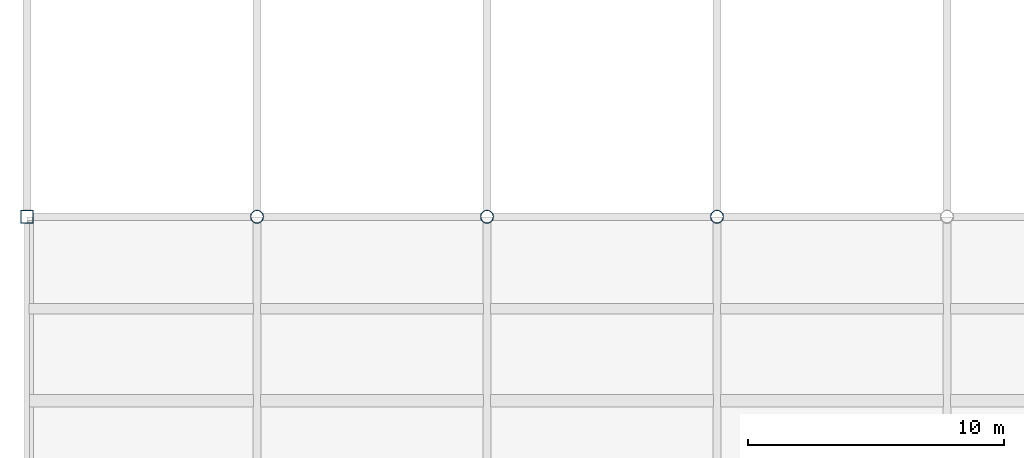
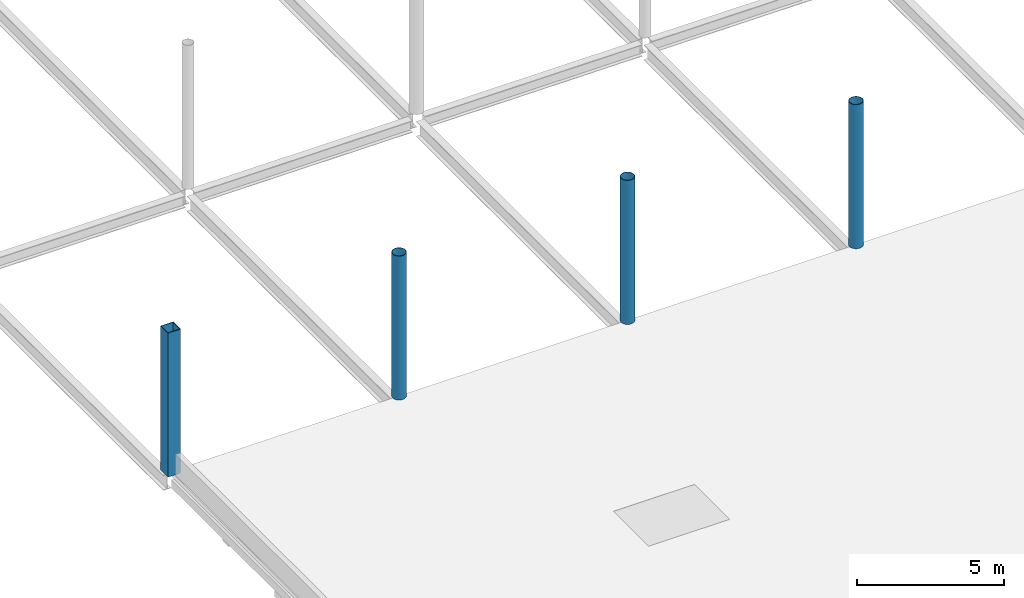
# One storey, part 1 of 191: 4 columns.
"""IFC4 building model written with IfcOpenShell, lengths in metres."""

from ifc_helpers import new_model, si_unit, direction, frame, origin, origin_2d, place, context, subcontext, project, spatial, hollow_rectangle, hollow_circle, extrude, material, material_profile, profile_set, type_object, element, save


model = new_model("IFC4")

# Units and contexts
model_context = context("Model", 3, precision=1e-05, world=origin(), true_north=direction((0.0, 1.0)))
body_context = subcontext(model_context, "Body", "Model", "MODEL_VIEW")
ifc_project = project(units=[si_unit("LENGTHUNIT", "METRE"), si_unit("AREAUNIT", "SQUARE_METRE"), si_unit("VOLUMEUNIT", "CUBIC_METRE"), si_unit("PLANEANGLEUNIT", "RADIAN"), si_unit("MASSUNIT", "GRAM", prefix="KILO")], contexts=[model_context])

# Site, building, storey
site_placement = place(None, origin())
site = spatial("IfcSite", under=ifc_project, at=site_placement, CompositionType="ELEMENT")
building_placement = place(site_placement, origin())
building = spatial("IfcBuilding", under=site, at=building_placement, Name="Tamarisk Ironworks Central Station", CompositionType="ELEMENT")
storey_placement = place(building_placement, frame((0.0, 0.0, 6.60009765625)))
storey = spatial("IfcBuildingStorey", under=building, at=storey_placement, Name="L01", CompositionType="ELEMENT", Elevation=6.60009765625)

# Columns
ifc_material = material(Name="Structural steel S355J2H", Category="steel")
ifc_material_profile_1 = material_profile(ifc_material, hollow_rectangle(XDim=0.5, YDim=0.5, WallThickness=0.02001953125, at=origin_2d()), Name="SHS 500x500x20")
ifc_profile_set_1 = profile_set([ifc_material_profile_1], Name="Structural steel S355J2H")
column_type_1 = type_object("IfcColumnType", Name="COL-S13", PredefinedType="COLUMN", material=ifc_profile_set_1)
column_placement = place(storey_placement, frame((0.0, 21.60009765625, 0.0), z_axis=(0.0, 0.0, 1.0), x_axis=(1.0, 0.0, 0.0)))
element("IfcColumn", 1, at=column_placement, inside=storey, type_object=column_type_1, Name="L01 column V1-01C", PredefinedType="COLUMN", context=body_context, shape_type="SweptSolid", body=[
    extrude(hollow_rectangle(XDim=0.5, YDim=0.5, WallThickness=0.02001953125, at=origin_2d()), origin(), (0.0, 0.0, 1.0), 6.0),
])
ifc_material_profile_2 = material_profile(ifc_material, hollow_circle(Radius=0.25390625, WallThickness=0.01611328125, at=origin_2d()), Name="CHS 508x16")
ifc_profile_set_2 = profile_set([ifc_material_profile_2], Name="Structural steel S355J2H")
column_type_2 = type_object("IfcColumnType", Name="COL-S16", PredefinedType="COLUMN", material=ifc_profile_set_2)
for number, where, z_axis, x_axis, name in (
    (2, (9.0, 21.60009765625, 0.0), (0.0, 0.0, 1.0), (1.0, 0.0, 0.0), "L01 column V1-02C"),
    (3, (18.0, 21.60009765625, 0.0), (0.0, 0.0, 1.0), (1.0, 0.0, 0.0), "L01 column V1-03C"),
    (4, (27.0, 21.60009765625, 0.0), (0.0, 0.0, 1.0), (1.0, 0.0, 0.0), "L01 column V1-04C"),
):
    element("IfcColumn", number, at=place(storey_placement, frame(where, z_axis=z_axis, x_axis=x_axis)), inside=storey, type_object=column_type_2, Name=name, PredefinedType="COLUMN", context=body_context, shape_type="SweptSolid", body=[
        extrude(hollow_circle(Radius=0.25390625, WallThickness=0.01611328125, at=origin_2d()), origin(), (0.0, 0.0, 1.0), 6.0),
    ])

save(model, "model.ifc")
